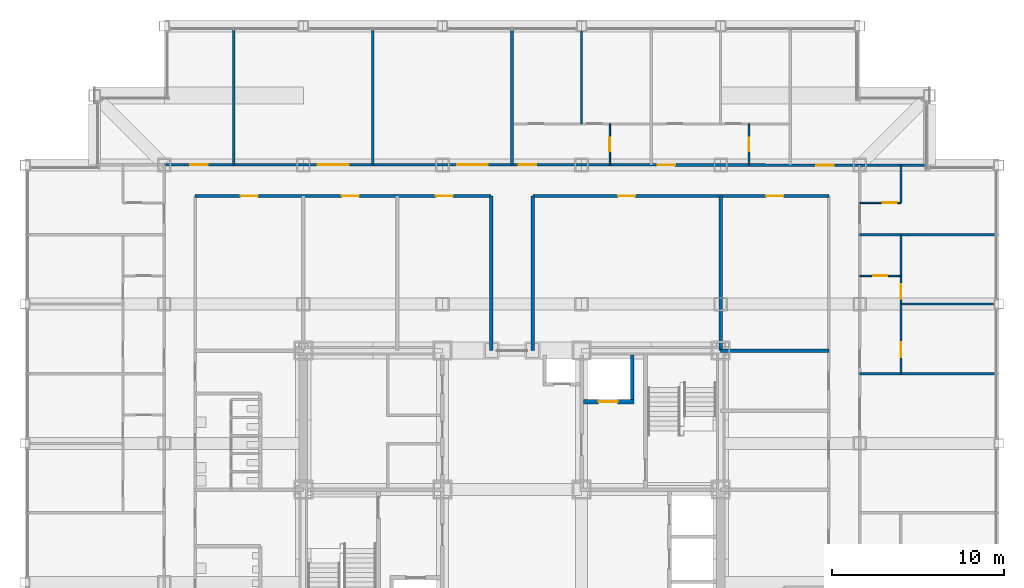
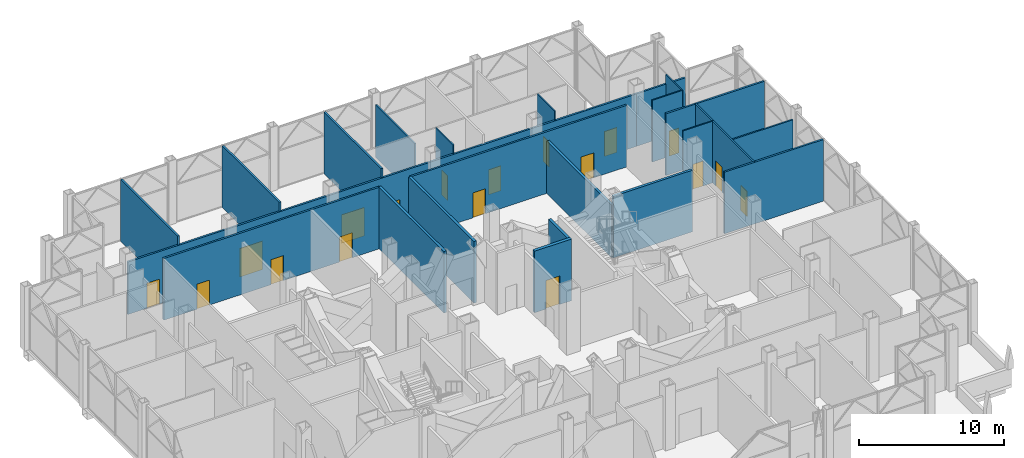
# One storey, part 25 of 29: 23 walls, 18 doors, 18 openings.
"""IFC4 building model written with IfcOpenShell, lengths in metres."""

from ifc_helpers import new_model, si_unit, direction, frame, frame_2d, origin, place, context, subcontext, project, spatial, rectangle, extrude, material, layer, layer_set, type_object, element, fill, save


model = new_model("IFC4")

# Units and contexts
model_context = context("Model", 3, precision=1e-05, world=origin(), true_north=direction((0.0, 1.0)))
body_context = subcontext(model_context, "Body", "Model", "MODEL_VIEW")
ifc_project = project(units=[si_unit("LENGTHUNIT", "METRE"), si_unit("AREAUNIT", "SQUARE_METRE"), si_unit("VOLUMEUNIT", "CUBIC_METRE"), si_unit("PLANEANGLEUNIT", "RADIAN"), si_unit("MASSUNIT", "GRAM", prefix="KILO")], contexts=[model_context])

# Site, building, storey
site_placement = place(None, origin())
site = spatial("IfcSite", under=ifc_project, at=site_placement, CompositionType="ELEMENT")
building_placement = place(site_placement, origin())
building = spatial("IfcBuilding", under=site, at=building_placement, Name="Kopane Lantern Tower", CompositionType="ELEMENT")
storey_placement = place(building_placement, frame((0.0, 0.0, 165.0)))
storey = spatial("IfcBuildingStorey", under=building, at=storey_placement, Name="L42", CompositionType="ELEMENT", Elevation=165.0)

# Wall
ifc_material_1 = material(Name="Gypsum board on steel studs", Category="steel")
ifc_layer_1 = layer(ifc_material_1, 0.1201171875)
ifc_layer_set_1 = layer_set([ifc_layer_1], Name="APARTMENT INTERNAL WALL 120")
wall_type_1 = type_object("IfcWallType", Name="APARTMENT INTERNAL WALL 120", PredefinedType="PARTITIONING", material=ifc_layer_set_1)
wall_1_placement = place(storey_placement, frame((32.39990234375, 53.699951171875, 0.0), z_axis=(0.0, 0.0, 1.0), x_axis=(0.0, 1.0, 0.0)))
element("IfcWall", 1, at=wall_1_placement, inside=storey, type_object=wall_type_1, Name="Apartment Internal Wall 120 L42", PredefinedType="PARTITIONING", context=body_context, shape_type="SweptSolid", body=[
    extrude(rectangle(XDim=5.400146484375, YDim=0.1201171875, at=frame_2d((2.7001953125, 0.0))), origin(), (0.0, 0.0, 1.0), 4.420166015625),
])

# Wall, openings, doors
wall_2_placement = place(storey_placement, frame((51.0, 39.14990234375, 0.0), z_axis=(0.0, 0.0, 1.0), x_axis=(0.0, 1.0, 0.0)))
wall_2 = element("IfcWall", 2, at=wall_2_placement, inside=storey, type_object=wall_type_1, Name="Apartment Internal Wall 120 L42", PredefinedType="PARTITIONING", context=body_context, shape_type="SweptSolid", body=[
    extrude(rectangle(XDim=8.10009765625, YDim=0.1201171875, at=frame_2d((4.050048828125, 0.0))), origin(), (0.0, 0.0, 1.0), 5.18994140625),
])
opening_1_placement = place(wall_2_placement, frame((0.97509765625, 0.0, 0.0)))
opening_1 = element("IfcOpeningElement", 3, at=opening_1_placement, cuts=wall_2, Name="Opening L42-057", PredefinedType="OPENING", context=body_context, shape_type="SweptSolid", body=[
    extrude(rectangle(XDim=0.85009765625, YDim=2.10009765625, at=frame_2d((0.425048828125, 1.050048828125))), frame((0.0, 0.070068359375, 0.0), z_axis=(0.0, -1.0, 0.0), x_axis=(1.0, 0.0, 0.0)), (0.0, 0.0, 1.0), 0.14013671875),
])
opening_2_placement = place(wall_2_placement, frame((4.375, 0.0, 0.0)))
opening_2 = element("IfcOpeningElement", 4, at=opening_2_placement, cuts=wall_2, Name="Opening L42-058", PredefinedType="OPENING", context=body_context, shape_type="SweptSolid", body=[
    extrude(rectangle(XDim=0.85009765625, YDim=2.10009765625, at=frame_2d((0.425048828125, 1.050048828125))), frame((0.0, 0.070068359375, 0.0), z_axis=(0.0, -1.0, 0.0), x_axis=(1.0, 0.0, 0.0)), (0.0, 0.0, 1.0), 0.14013671875),
])
ifc_material_2 = material(Name="Timber door set", Category="wood")
door_type_1 = type_object("IfcDoorType", Name="DOOR D4 850x2100", OperationType="SINGLE_SWING_LEFT", PredefinedType="DOOR", material=ifc_material_2)
door_1_placement = place(opening_1_placement, origin())
door_1 = element("IfcDoor", 5, at=door_1_placement, inside=storey, type_object=door_type_1, Name="Door L42-057", OperationType="SINGLE_SWING_LEFT", OverallHeight=2.10009765625, OverallWidth=0.85009765625, PredefinedType="DOOR", context=body_context, shape_type="SweptSolid", body=[
    extrude(rectangle(XDim=0.85009765625, YDim=2.10009765625, at=frame_2d((0.425048828125, 1.050048828125))), frame((0.0, 0.02490234375, 0.0), z_axis=(0.0, -1.0, 0.0), x_axis=(1.0, 0.0, 0.0)), (0.0, 0.0, 1.0), 0.050048828125),
])
fill(opening_1, door_1)
door_2_placement = place(opening_2_placement, origin())
door_2 = element("IfcDoor", 6, at=door_2_placement, inside=storey, type_object=door_type_1, Name="Door L42-058", OperationType="SINGLE_SWING_RIGHT", OverallHeight=2.10009765625, OverallWidth=0.85009765625, PredefinedType="DOOR", context=body_context, shape_type="SweptSolid", body=[
    extrude(rectangle(XDim=0.85009765625, YDim=2.10009765625, at=frame_2d((0.425048828125, 1.050048828125))), frame((0.0, 0.02490234375, 0.0), z_axis=(0.0, -1.0, 0.0), x_axis=(1.0, 0.0, 0.0)), (0.0, 0.0, 1.0), 0.050048828125),
])
fill(opening_2, door_2)

# Wall
wall_3_placement = place(storey_placement, frame((51.0, 43.199951171875, 0.0), z_axis=(0.0, 0.0, 1.0), x_axis=(1.0, 0.0, 0.0)))
element("IfcWall", 7, at=wall_3_placement, inside=storey, type_object=wall_type_1, Name="Apartment Internal Wall 120 L42", PredefinedType="PARTITIONING", context=body_context, shape_type="SweptSolid", body=[
    extrude(rectangle(XDim=5.39990234375, YDim=0.1201171875, at=frame_2d((2.699951171875, 0.0))), origin(), (0.0, 0.0, 1.0), 4.420166015625),
])

# Wall, opening, door
ifc_material_3 = material(Name="Moisture-resistant board on steel studs", Category="steel")
ifc_layer_2 = layer(ifc_material_3, 0.10009765625)
ifc_layer_set_2 = layer_set([ifc_layer_2], Name="BATHROOM WALL 100")
wall_type_2 = type_object("IfcWallType", Name="BATHROOM WALL 100", PredefinedType="PARTITIONING", material=ifc_layer_set_2)
wall_4_placement = place(storey_placement, frame((34.050048828125, 51.300048828125, 0.0), z_axis=(0.0, 0.0, 1.0), x_axis=(0.0, 1.0, 0.0)))
wall_4 = element("IfcWall", 8, at=wall_4_placement, inside=storey, type_object=wall_type_2, Name="Bathroom Wall 100 L42", PredefinedType="PARTITIONING", context=body_context, shape_type="SweptSolid", body=[
    extrude(rectangle(XDim=2.39990234375, YDim=0.10009765625, at=frame_2d((1.199951171875, 0.0))), origin(), (0.0, 0.0, 1.0), 5.18994140625),
])
opening_3_placement = place(wall_4_placement, frame((0.800048828125, 0.0, 0.0)))
opening_3 = element("IfcOpeningElement", 9, at=opening_3_placement, cuts=wall_4, Name="Opening L42-030", PredefinedType="OPENING", context=body_context, shape_type="SweptSolid", body=[
    extrude(rectangle(XDim=0.800048828125, YDim=2.10009765625, at=frame_2d((0.39990234375, 1.050048828125))), frame((0.0, 0.06005859375, 0.0), z_axis=(0.0, -1.0, 0.0), x_axis=(1.0, 0.0, 0.0)), (0.0, 0.0, 1.0), 0.1201171875),
])
ifc_material_4 = material(Name="Timber door set", Category="wood")
door_type_2 = type_object("IfcDoorType", Name="DOOR D2 800x2100", OperationType="SINGLE_SWING_LEFT", PredefinedType="DOOR", material=ifc_material_4)
door_3_placement = place(opening_3_placement, origin())
door_3 = element("IfcDoor", 10, at=door_3_placement, inside=storey, type_object=door_type_2, Name="Door L42-030", OperationType="SINGLE_SWING_RIGHT", OverallHeight=2.10009765625, OverallWidth=0.800048828125, PredefinedType="DOOR", context=body_context, shape_type="SweptSolid", body=[
    extrude(rectangle(XDim=0.800048828125, YDim=2.10009765625, at=frame_2d((0.39990234375, 1.050048828125))), frame((0.0, 0.02490234375, 0.0), z_axis=(0.0, -1.0, 0.0), x_axis=(1.0, 0.0, 0.0)), (0.0, 0.0, 1.0), 0.050048828125),
])
fill(opening_3, door_3)

wall_5_placement = place(storey_placement, frame((42.14990234375, 51.300048828125, 0.0), z_axis=(0.0, 0.0, 1.0), x_axis=(0.0, 1.0, 0.0)))
wall_5 = element("IfcWall", 11, at=wall_5_placement, inside=storey, type_object=wall_type_2, Name="Bathroom Wall 100 L42", PredefinedType="PARTITIONING", context=body_context, shape_type="SweptSolid", body=[
    extrude(rectangle(XDim=2.39990234375, YDim=0.10009765625, at=frame_2d((1.199951171875, 0.0))), origin(), (0.0, 0.0, 1.0), 5.18994140625),
])
opening_4_placement = place(wall_5_placement, frame((0.800048828125, 0.0, 0.0)))
opening_4 = element("IfcOpeningElement", 12, at=opening_4_placement, cuts=wall_5, Name="Opening L42-034", PredefinedType="OPENING", context=body_context, shape_type="SweptSolid", body=[
    extrude(rectangle(XDim=0.800048828125, YDim=2.10009765625, at=frame_2d((0.39990234375, 1.050048828125))), frame((0.0, 0.06005859375, 0.0), z_axis=(0.0, -1.0, 0.0), x_axis=(1.0, 0.0, 0.0)), (0.0, 0.0, 1.0), 0.1201171875),
])
door_4_placement = place(opening_4_placement, origin())
door_4 = element("IfcDoor", 13, at=door_4_placement, inside=storey, type_object=door_type_2, Name="Door L42-034", OperationType="SINGLE_SWING_RIGHT", OverallHeight=2.10009765625, OverallWidth=0.800048828125, PredefinedType="DOOR", context=body_context, shape_type="SweptSolid", body=[
    extrude(rectangle(XDim=0.800048828125, YDim=2.10009765625, at=frame_2d((0.39990234375, 1.050048828125))), frame((0.0, 0.02490234375, 0.0), z_axis=(0.0, -1.0, 0.0), x_axis=(1.0, 0.0, 0.0)), (0.0, 0.0, 1.0), 0.050048828125),
])
fill(opening_4, door_4)

wall_6_placement = place(storey_placement, frame((48.60009765625, 44.85009765625, 0.0), z_axis=(0.0, 0.0, 1.0), x_axis=(1.0, 0.0, 0.0)))
wall_6 = element("IfcWall", 14, at=wall_6_placement, inside=storey, type_object=wall_type_2, Name="Bathroom Wall 100 L42", PredefinedType="PARTITIONING", context=body_context, shape_type="SweptSolid", body=[
    extrude(rectangle(XDim=2.39990234375, YDim=0.10009765625, at=frame_2d((1.199951171875, 0.0))), origin(), (0.0, 0.0, 1.0), 5.18994140625),
])
opening_5_placement = place(wall_6_placement, frame((0.800048828125, 0.0, 0.0)))
opening_5 = element("IfcOpeningElement", 15, at=opening_5_placement, cuts=wall_6, Name="Opening L42-055", PredefinedType="OPENING", context=body_context, shape_type="SweptSolid", body=[
    extrude(rectangle(XDim=0.800048828125, YDim=2.10009765625, at=frame_2d((0.39990234375, 1.050048828125))), frame((0.0, 0.06005859375, 0.0), z_axis=(0.0, -1.0, 0.0), x_axis=(1.0, 0.0, 0.0)), (0.0, 0.0, 1.0), 0.1201171875),
])
door_5_placement = place(opening_5_placement, origin())
door_5 = element("IfcDoor", 16, at=door_5_placement, inside=storey, type_object=door_type_2, Name="Door L42-055", OperationType="SINGLE_SWING_LEFT", OverallHeight=2.10009765625, OverallWidth=0.800048828125, PredefinedType="DOOR", context=body_context, shape_type="SweptSolid", body=[
    extrude(rectangle(XDim=0.800048828125, YDim=2.10009765625, at=frame_2d((0.39990234375, 1.050048828125))), frame((0.0, 0.02490234375, 0.0), z_axis=(0.0, -1.0, 0.0), x_axis=(1.0, 0.0, 0.0)), (0.0, 0.0, 1.0), 0.050048828125),
])
fill(opening_5, door_5)

# Wall
wall_7_placement = place(storey_placement, frame((51.0, 49.10009765625, 0.0), z_axis=(0.0, 0.0, 1.0), x_axis=(0.0, 1.0, 0.0)))
element("IfcWall", 17, at=wall_7_placement, inside=storey, type_object=wall_type_2, Name="Bathroom Wall 100 L42", PredefinedType="PARTITIONING", context=body_context, shape_type="SweptSolid", body=[
    extrude(rectangle(XDim=2.199951171875, YDim=0.10009765625, at=frame_2d((1.10009765625, 0.0))), origin(), (0.0, 0.0, 1.0), 5.18994140625),
])

# Wall, opening, door
wall_8_placement = place(storey_placement, frame((48.60009765625, 49.10009765625, 0.0), z_axis=(0.0, 0.0, 1.0), x_axis=(1.0, 0.0, 0.0)))
wall_8 = element("IfcWall", 18, at=wall_8_placement, inside=storey, type_object=wall_type_2, Name="Bathroom Wall 100 L42", PredefinedType="PARTITIONING", context=body_context, shape_type="SweptSolid", body=[
    extrude(rectangle(XDim=2.39990234375, YDim=0.10009765625, at=frame_2d((1.199951171875, 0.0))), origin(), (0.0, 0.0, 1.0), 5.18994140625),
])
opening_6_placement = place(wall_8_placement, frame((1.35009765625, 0.0, 0.0)))
opening_6 = element("IfcOpeningElement", 19, at=opening_6_placement, cuts=wall_8, Name="Opening L42-059", PredefinedType="OPENING", context=body_context, shape_type="SweptSolid", body=[
    extrude(rectangle(XDim=0.800048828125, YDim=2.10009765625, at=frame_2d((0.39990234375, 1.050048828125))), frame((0.0, 0.06005859375, 0.0), z_axis=(0.0, -1.0, 0.0), x_axis=(1.0, 0.0, 0.0)), (0.0, 0.0, 1.0), 0.1201171875),
])
door_6_placement = place(opening_6_placement, origin())
door_6 = element("IfcDoor", 20, at=door_6_placement, inside=storey, type_object=door_type_2, Name="Door L42-059", OperationType="SINGLE_SWING_RIGHT", OverallHeight=2.10009765625, OverallWidth=0.800048828125, PredefinedType="DOOR", context=body_context, shape_type="SweptSolid", body=[
    extrude(rectangle(XDim=0.800048828125, YDim=2.10009765625, at=frame_2d((0.39990234375, 1.050048828125))), frame((0.0, 0.02490234375, 0.0), z_axis=(0.0, -1.0, 0.0), x_axis=(1.0, 0.0, 0.0)), (0.0, 0.0, 1.0), 0.050048828125),
])
fill(opening_6, door_6)

ifc_material_5 = material(Name="Gypsum shaft wall EI 120", Category="gypsum")
ifc_layer_3 = layer(ifc_material_5, 0.25)
ifc_layer_set_3 = layer_set([ifc_layer_3], Name="CORE SHAFT WALL 250 EI 120")
wall_type_3 = type_object("IfcWallType", Name="CORE SHAFT WALL 250 EI 120", PredefinedType="SOLIDWALL", material=ifc_layer_set_3)
wall_9_placement = place(storey_placement, frame((32.5, 37.52490234375, 0.0), z_axis=(0.0, 0.0, 1.0), x_axis=(1.0, 0.0, 0.0)))
wall_9 = element("IfcWall", 21, at=wall_9_placement, inside=storey, type_object=wall_type_3, Name="Core shaft wall L42 YLF2", PredefinedType="SOLIDWALL", context=body_context, shape_type="SweptSolid", body=[
    extrude(rectangle(XDim=2.949951171875, YDim=0.25, at=frame_2d((1.47509765625, 0.0))), origin(), (0.0, 0.0, 1.0), 5.18994140625),
])
opening_7_placement = place(wall_9_placement, frame((0.89990234375, 0.0, 0.0)))
opening_7 = element("IfcOpeningElement", 22, at=opening_7_placement, cuts=wall_9, Name="Opening 42.LD-LF2", PredefinedType="OPENING", context=body_context, shape_type="SweptSolid", body=[
    extrude(rectangle(XDim=1.10009765625, YDim=2.39990234375, at=frame_2d((0.550048828125, 1.199951171875))), frame((0.0, 0.135009765625, 0.0), z_axis=(0.0, -1.0, 0.0), x_axis=(1.0, 0.0, 0.0)), (0.0, 0.0, 1.0), 0.27001953125),
])
ifc_material_6 = material(Name="Steel door set", Category="steel")
door_type_3 = type_object("IfcDoorType", Name="LIFT LANDING DOOR 1100x2400 FD60", OperationType="DOUBLE_DOOR_SLIDING", PredefinedType="DOOR", material=ifc_material_6)
door_7_placement = place(opening_7_placement, origin())
door_7 = element("IfcDoor", 23, at=door_7_placement, inside=storey, type_object=door_type_3, Name="Landing door LF2 L42", OperationType="DOUBLE_DOOR_SLIDING", OverallHeight=2.39990234375, OverallWidth=1.10009765625, PredefinedType="DOOR", context=body_context, shape_type="SweptSolid", body=[
    extrude(rectangle(XDim=1.10009765625, YDim=2.39990234375, at=frame_2d((0.550048828125, 1.199951171875))), frame((0.0, 0.02490234375, 0.0), z_axis=(0.0, -1.0, 0.0), x_axis=(1.0, 0.0, 0.0)), (0.0, 0.0, 1.0), 0.050048828125),
])
fill(opening_7, door_7)

# Wall, openings, doors
ifc_material_7 = material(Name="Gypsum board on steel studs", Category="steel")
ifc_layer_4 = layer(ifc_material_7, 0.14990234375)
ifc_layer_set_4 = layer_set([ifc_layer_4], Name="CORRIDOR WALL 150 EI 60")
wall_type_4 = type_object("IfcWallType", Name="CORRIDOR WALL 150 EI 60", PredefinedType="PARTITIONING", material=ifc_layer_set_4)
wall_10_placement = place(storey_placement, frame((8.10009765625, 51.330078125, 0.0), z_axis=(0.0, 0.0, 1.0), x_axis=(0.999999725116, -0.000741463917, 0.0)))
wall_10 = element("IfcWall", 24, at=wall_10_placement, inside=storey, type_object=wall_type_4, Name="Corridor Wall 150 Ei 60 L42", PredefinedType="PARTITIONING", context=body_context, shape_type="SweptSolid", body=[
    extrude(rectangle(XDim=40.5, YDim=0.14990234375, at=frame_2d((20.25, 0.0))), origin(), (0.0, 0.0, 1.0), 4.420166015625),
])
opening_8_placement = place(wall_10_placement, frame((8.949951171875, 0.0, 0.0)))
opening_8 = element("IfcOpeningElement", 25, at=opening_8_placement, cuts=wall_10, Name="Opening L42-028", PredefinedType="OPENING", context=body_context, shape_type="SweptSolid", body=[
    extrude(rectangle(XDim=1.800048828125, YDim=2.39990234375, at=frame_2d((0.89990234375, 1.199951171875))), frame((0.0, 0.0849609375, 0.0), z_axis=(0.0, -1.0, 0.0), x_axis=(1.0, 0.0, 0.0)), (0.0, 0.0, 1.0), 0.169921875),
])
opening_9_placement = place(wall_10_placement, frame((17.050048828125, 0.0, 0.0)))
opening_9 = element("IfcOpeningElement", 26, at=opening_9_placement, cuts=wall_10, Name="Opening L42-029", PredefinedType="OPENING", context=body_context, shape_type="SweptSolid", body=[
    extrude(rectangle(XDim=1.800048828125, YDim=2.39990234375, at=frame_2d((0.89990234375, 1.199951171875))), frame((0.0, 0.0849609375, 0.0), z_axis=(0.0, -1.0, 0.0), x_axis=(1.0, 0.0, 0.0)), (0.0, 0.0, 1.0), 0.169921875),
])
opening_10_placement = place(wall_10_placement, frame((20.64990234375, 0.0, 0.0)))
opening_10 = element("IfcOpeningElement", 27, at=opening_10_placement, cuts=wall_10, Name="Opening L42-031", PredefinedType="OPENING", context=body_context, shape_type="SweptSolid", body=[
    extrude(rectangle(XDim=1.0, YDim=2.10009765625, at=frame_2d((0.5, 1.050048828125))), frame((0.0, 0.0849609375, 0.0), z_axis=(0.0, -1.0, 0.0), x_axis=(1.0, 0.0, 0.0)), (0.0, 0.0, 1.0), 0.169921875),
])
opening_11_placement = place(wall_10_placement, frame((28.75, 0.0, 0.0)))
opening_11 = element("IfcOpeningElement", 28, at=opening_11_placement, cuts=wall_10, Name="Opening L42-035", PredefinedType="OPENING", context=body_context, shape_type="SweptSolid", body=[
    extrude(rectangle(XDim=1.0, YDim=2.10009765625, at=frame_2d((0.5, 1.050048828125))), frame((0.0, 0.0849609375, 0.0), z_axis=(0.0, -1.0, 0.0), x_axis=(1.0, 0.0, 0.0)), (0.0, 0.0, 1.0), 0.169921875),
])
opening_12_placement = place(wall_10_placement, frame((37.97509765625, 0.0, 0.0)))
opening_12 = element("IfcOpeningElement", 29, at=opening_12_placement, cuts=wall_10, Name="Opening L42-063", PredefinedType="OPENING", context=body_context, shape_type="SweptSolid", body=[
    extrude(rectangle(XDim=1.0, YDim=2.10009765625, at=frame_2d((0.5, 1.050048828125))), frame((0.0, 0.0849609375, 0.0), z_axis=(0.0, -1.0, 0.0), x_axis=(1.0, 0.0, 0.0)), (0.0, 0.0, 1.0), 0.169921875),
])
opening_13_placement = place(wall_10_placement, frame((1.52490234375, 0.0, 0.0)))
opening_13 = element("IfcOpeningElement", 30, at=opening_13_placement, cuts=wall_10, Name="Opening L42-064", PredefinedType="OPENING", context=body_context, shape_type="SweptSolid", body=[
    extrude(rectangle(XDim=1.0, YDim=2.10009765625, at=frame_2d((0.5, 1.050048828125))), frame((0.0, 0.0849609375, 0.0), z_axis=(0.0, -1.0, 0.0), x_axis=(1.0, 0.0, 0.0)), (0.0, 0.0, 1.0), 0.169921875),
])
ifc_material_8 = material(Name="Steel door set", Category="steel")
door_type_4 = type_object("IfcDoorType", Name="DOOR D3 1000x2100 FD30S", OperationType="SINGLE_SWING_LEFT", PredefinedType="DOOR", material=ifc_material_8)
door_8_placement = place(opening_10_placement, origin())
door_8 = element("IfcDoor", 31, at=door_8_placement, inside=storey, type_object=door_type_4, Name="Door L42-031", OperationType="SINGLE_SWING_LEFT", OverallHeight=2.10009765625, OverallWidth=1.0, PredefinedType="DOOR", context=body_context, shape_type="SweptSolid", body=[
    extrude(rectangle(XDim=1.0, YDim=2.10009765625, at=frame_2d((0.5, 1.050048828125))), frame((0.0, 0.02490234375, 0.0), z_axis=(0.0, -1.0, 0.0), x_axis=(1.0, 0.0, 0.0)), (0.0, 0.0, 1.0), 0.050048828125),
])
fill(opening_10, door_8)
door_9_placement = place(opening_11_placement, origin())
door_9 = element("IfcDoor", 32, at=door_9_placement, inside=storey, type_object=door_type_4, Name="Door L42-035", OperationType="SINGLE_SWING_LEFT", OverallHeight=2.10009765625, OverallWidth=1.0, PredefinedType="DOOR", context=body_context, shape_type="SweptSolid", body=[
    extrude(rectangle(XDim=1.0, YDim=2.10009765625, at=frame_2d((0.5, 1.050048828125))), frame((0.0, 0.02490234375, 0.0), z_axis=(0.0, -1.0, 0.0), x_axis=(1.0, 0.0, 0.0)), (0.0, 0.0, 1.0), 0.050048828125),
])
fill(opening_11, door_9)
ifc_material_9 = material(Name="Steel door set", Category="steel")
door_type_5 = type_object("IfcDoorType", Name="DOOR D5 1000x2100 FD60", OperationType="SINGLE_SWING_LEFT", PredefinedType="DOOR", material=ifc_material_9)
door_10_placement = place(opening_12_placement, origin())
door_10 = element("IfcDoor", 33, at=door_10_placement, inside=storey, type_object=door_type_5, Name="Door L42-063", OperationType="SINGLE_SWING_LEFT", OverallHeight=2.10009765625, OverallWidth=1.0, PredefinedType="DOOR", context=body_context, shape_type="SweptSolid", body=[
    extrude(rectangle(XDim=1.0, YDim=2.10009765625, at=frame_2d((0.5, 1.050048828125))), frame((0.0, 0.02490234375, 0.0), z_axis=(0.0, -1.0, 0.0), x_axis=(1.0, 0.0, 0.0)), (0.0, 0.0, 1.0), 0.050048828125),
])
fill(opening_12, door_10)
door_11_placement = place(opening_13_placement, origin())
door_11 = element("IfcDoor", 34, at=door_11_placement, inside=storey, type_object=door_type_5, Name="Door L42-064", OperationType="SINGLE_SWING_RIGHT", OverallHeight=2.10009765625, OverallWidth=1.0, PredefinedType="DOOR", context=body_context, shape_type="SweptSolid", body=[
    extrude(rectangle(XDim=1.0, YDim=2.10009765625, at=frame_2d((0.5, 1.050048828125))), frame((0.0, 0.02490234375, 0.0), z_axis=(0.0, -1.0, 0.0), x_axis=(1.0, 0.0, 0.0)), (0.0, 0.0, 1.0), 0.050048828125),
])
fill(opening_13, door_11)
ifc_material_10 = material(Name="Steel door set", Category="steel")
door_type_6 = type_object("IfcDoorType", Name="DOOR D6 1800x2400 FD30S", OperationType="SINGLE_SWING_LEFT", PredefinedType="DOOR", material=ifc_material_10)
door_12_placement = place(opening_8_placement, origin())
door_12 = element("IfcDoor", 35, at=door_12_placement, inside=storey, type_object=door_type_6, Name="Door L42-028", OperationType="DOUBLE_DOOR_SINGLE_SWING", OverallHeight=2.39990234375, OverallWidth=1.800048828125, PredefinedType="DOOR", context=body_context, shape_type="SweptSolid", body=[
    extrude(rectangle(XDim=1.800048828125, YDim=2.39990234375, at=frame_2d((0.89990234375, 1.199951171875))), frame((0.0, 0.02490234375, 0.0), z_axis=(0.0, -1.0, 0.0), x_axis=(1.0, 0.0, 0.0)), (0.0, 0.0, 1.0), 0.050048828125),
])
fill(opening_8, door_12)
door_13_placement = place(opening_9_placement, origin())
door_13 = element("IfcDoor", 36, at=door_13_placement, inside=storey, type_object=door_type_6, Name="Door L42-029", OperationType="DOUBLE_DOOR_SINGLE_SWING", OverallHeight=2.39990234375, OverallWidth=1.800048828125, PredefinedType="DOOR", context=body_context, shape_type="SweptSolid", body=[
    extrude(rectangle(XDim=1.800048828125, YDim=2.39990234375, at=frame_2d((0.89990234375, 1.199951171875))), frame((0.0, 0.02490234375, 0.0), z_axis=(0.0, -1.0, 0.0), x_axis=(1.0, 0.0, 0.0)), (0.0, 0.0, 1.0), 0.050048828125),
])
fill(opening_9, door_13)

wall_11_placement = place(storey_placement, frame((46.800048828125, 49.5, 0.0), z_axis=(0.0, 0.0, 1.0), x_axis=(-1.0, 0.0, 0.0)))
wall_11 = element("IfcWall", 37, at=wall_11_placement, inside=storey, type_object=wall_type_4, Name="Corridor Wall 150 Ei 60 L42", PredefinedType="PARTITIONING", context=body_context, shape_type="SweptSolid", body=[
    extrude(rectangle(XDim=17.239990234375, YDim=0.14990234375, at=frame_2d((8.6201171875, 0.0))), origin(), (0.0, 0.0, 1.0), 5.18994140625),
])
opening_14_placement = place(wall_11_placement, frame((11.27490234375, 0.0, 0.0)))
opening_14 = element("IfcOpeningElement", 38, at=opening_14_placement, cuts=wall_11, Name="Opening L42-016", PredefinedType="OPENING", context=body_context, shape_type="SweptSolid", body=[
    extrude(rectangle(XDim=1.0, YDim=2.10009765625, at=frame_2d((0.5, 1.050048828125))), frame((0.0, 0.0849609375, 0.0), z_axis=(0.0, -1.0, 0.0), x_axis=(1.0, 0.0, 0.0)), (0.0, 0.0, 1.0), 0.169921875),
])
opening_15_placement = place(wall_11_placement, frame((2.64990234375, 0.0, 0.0)))
opening_15 = element("IfcOpeningElement", 39, at=opening_15_placement, cuts=wall_11, Name="Opening L42-017", PredefinedType="OPENING", context=body_context, shape_type="SweptSolid", body=[
    extrude(rectangle(XDim=1.0, YDim=2.10009765625, at=frame_2d((0.5, 1.050048828125))), frame((0.0, 0.0849609375, 0.0), z_axis=(0.0, -1.0, 0.0), x_axis=(1.0, 0.0, 0.0)), (0.0, 0.0, 1.0), 0.169921875),
])
door_14_placement = place(opening_14_placement, origin())
door_14 = element("IfcDoor", 40, at=door_14_placement, inside=storey, type_object=door_type_5, Name="Door L42-016", OperationType="SINGLE_SWING_RIGHT", OverallHeight=2.10009765625, OverallWidth=1.0, PredefinedType="DOOR", context=body_context, shape_type="SweptSolid", body=[
    extrude(rectangle(XDim=1.0, YDim=2.10009765625, at=frame_2d((0.5, 1.050048828125))), frame((0.0, 0.02490234375, 0.0), z_axis=(0.0, -1.0, 0.0), x_axis=(1.0, 0.0, 0.0)), (0.0, 0.0, 1.0), 0.050048828125),
])
fill(opening_14, door_14)
door_15_placement = place(opening_15_placement, origin())
door_15 = element("IfcDoor", 41, at=door_15_placement, inside=storey, type_object=door_type_5, Name="Door L42-017", OperationType="SINGLE_SWING_LEFT", OverallHeight=2.10009765625, OverallWidth=1.0, PredefinedType="DOOR", context=body_context, shape_type="SweptSolid", body=[
    extrude(rectangle(XDim=1.0, YDim=2.10009765625, at=frame_2d((0.5, 1.050048828125))), frame((0.0, 0.02490234375, 0.0), z_axis=(0.0, -1.0, 0.0), x_axis=(1.0, 0.0, 0.0)), (0.0, 0.0, 1.0), 0.050048828125),
])
fill(opening_15, door_15)

wall_12_placement = place(storey_placement, frame((27.139892578125, 49.5, 0.0), z_axis=(0.0, 0.0, 1.0), x_axis=(-1.0, 0.0, 0.0)))
wall_12 = element("IfcWall", 42, at=wall_12_placement, inside=storey, type_object=wall_type_4, Name="Corridor Wall 150 Ei 60 L42", PredefinedType="PARTITIONING", context=body_context, shape_type="SweptSolid", body=[
    extrude(rectangle(XDim=17.239990234375, YDim=0.14990234375, at=frame_2d((8.6201171875, 0.0))), origin(), (0.0, 0.0, 1.0), 5.18994140625),
])
opening_16_placement = place(wall_12_placement, frame((13.590087890625, 0.0, 0.0)))
opening_16 = element("IfcOpeningElement", 43, at=opening_16_placement, cuts=wall_12, Name="Opening L42-013", PredefinedType="OPENING", context=body_context, shape_type="SweptSolid", body=[
    extrude(rectangle(XDim=1.0, YDim=2.10009765625, at=frame_2d((0.5, 1.050048828125))), frame((0.0, 0.0849609375, 0.0), z_axis=(0.0, -1.0, 0.0), x_axis=(1.0, 0.0, 0.0)), (0.0, 0.0, 1.0), 0.169921875),
])
opening_17_placement = place(wall_12_placement, frame((7.702392578125, 0.0, 0.0)))
opening_17 = element("IfcOpeningElement", 44, at=opening_17_placement, cuts=wall_12, Name="Opening L42-014", PredefinedType="OPENING", context=body_context, shape_type="SweptSolid", body=[
    extrude(rectangle(XDim=1.0, YDim=2.10009765625, at=frame_2d((0.5, 1.050048828125))), frame((0.0, 0.0849609375, 0.0), z_axis=(0.0, -1.0, 0.0), x_axis=(1.0, 0.0, 0.0)), (0.0, 0.0, 1.0), 0.169921875),
])
opening_18_placement = place(wall_12_placement, frame((2.2275390625, 0.0, 0.0)))
opening_18 = element("IfcOpeningElement", 45, at=opening_18_placement, cuts=wall_12, Name="Opening L42-015", PredefinedType="OPENING", context=body_context, shape_type="SweptSolid", body=[
    extrude(rectangle(XDim=1.0, YDim=2.10009765625, at=frame_2d((0.5, 1.050048828125))), frame((0.0, 0.0849609375, 0.0), z_axis=(0.0, -1.0, 0.0), x_axis=(1.0, 0.0, 0.0)), (0.0, 0.0, 1.0), 0.169921875),
])
door_16_placement = place(opening_16_placement, origin())
door_16 = element("IfcDoor", 46, at=door_16_placement, inside=storey, type_object=door_type_5, Name="Door L42-013", OperationType="SINGLE_SWING_LEFT", OverallHeight=2.10009765625, OverallWidth=1.0, PredefinedType="DOOR", context=body_context, shape_type="SweptSolid", body=[
    extrude(rectangle(XDim=1.0, YDim=2.10009765625, at=frame_2d((0.5, 1.050048828125))), frame((0.0, 0.02490234375, 0.0), z_axis=(0.0, -1.0, 0.0), x_axis=(1.0, 0.0, 0.0)), (0.0, 0.0, 1.0), 0.050048828125),
])
fill(opening_16, door_16)
door_17_placement = place(opening_17_placement, origin())
door_17 = element("IfcDoor", 47, at=door_17_placement, inside=storey, type_object=door_type_5, Name="Door L42-014", OperationType="SINGLE_SWING_RIGHT", OverallHeight=2.10009765625, OverallWidth=1.0, PredefinedType="DOOR", context=body_context, shape_type="SweptSolid", body=[
    extrude(rectangle(XDim=1.0, YDim=2.10009765625, at=frame_2d((0.5, 1.050048828125))), frame((0.0, 0.02490234375, 0.0), z_axis=(0.0, -1.0, 0.0), x_axis=(1.0, 0.0, 0.0)), (0.0, 0.0, 1.0), 0.050048828125),
])
fill(opening_17, door_17)
door_18_placement = place(opening_18_placement, origin())
door_18 = element("IfcDoor", 48, at=door_18_placement, inside=storey, type_object=door_type_5, Name="Door L42-015", OperationType="SINGLE_SWING_LEFT", OverallHeight=2.10009765625, OverallWidth=1.0, PredefinedType="DOOR", context=body_context, shape_type="SweptSolid", body=[
    extrude(rectangle(XDim=1.0, YDim=2.10009765625, at=frame_2d((0.5, 1.050048828125))), frame((0.0, 0.02490234375, 0.0), z_axis=(0.0, -1.0, 0.0), x_axis=(1.0, 0.0, 0.0)), (0.0, 0.0, 1.0), 0.050048828125),
])
fill(opening_18, door_18)

# Walls
ifc_material_11 = material(Name="Gypsum board on steel studs", Category="steel")
ifc_layer_5 = layer(ifc_material_11, 0.14990234375)
ifc_layer_set_5 = layer_set([ifc_layer_5], Name="DEMISING WALL 150 EI 60")
wall_type_5 = type_object("IfcWallType", Name="DEMISING WALL 150 EI 60", PredefinedType="PARTITIONING", material=ifc_layer_set_5)
for number, where, z_axis, x_axis, name in (
    (49, (20.25, 51.300048828125, 0.0), (0.0, 0.0, 1.0), (0.0, 1.0, 0.0), "Demising Wall 150 Ei 60 L42"),
    (50, (28.35009765625, 51.300048828125, 0.0), (0.0, 0.0, 1.0), (0.0, 1.0, 0.0), "Demising Wall 150 Ei 60 L42"),
    (51, (48.60009765625, 39.14990234375, 0.0), (0.0, 0.0, 1.0), (1.0, 0.0, 0.0), "Demising Wall 150 Ei 60 L42"),
    (52, (48.60009765625, 47.25, 0.0), (0.0, 0.0, 1.0), (1.0, 0.0, 0.0), "Demising Wall 150 Ei 60 L42"),
):
    element("IfcWall", number, at=place(storey_placement, frame(where, z_axis=z_axis, x_axis=x_axis)), inside=storey, type_object=wall_type_5, Name=name, PredefinedType="PARTITIONING", context=body_context, shape_type="SweptSolid", body=[
        extrude(rectangle(XDim=7.864501953125, YDim=0.14990234375, at=frame_2d((3.93212890625, 0.0))), origin(), (0.0, 0.0, 1.0), 5.18994140625),
    ])
wall_13_placement = place(storey_placement, frame((48.60009765625, 51.300048828125, 0.0), z_axis=(0.0, 0.0, 1.0), x_axis=(1.0, 0.0, 0.0)))
element("IfcWall", 53, at=wall_13_placement, inside=storey, type_object=wall_type_5, Name="Demising Wall 150 Ei 60 L42", PredefinedType="PARTITIONING", context=body_context, shape_type="SweptSolid", body=[
    extrude(rectangle(XDim=3.8828125, YDim=0.14990234375, at=frame_2d((1.94140625, 0.0))), origin(), (0.0, 0.0, 1.0), 4.420166015625),
])
wall_14_placement = place(storey_placement, frame((12.14990234375, 51.300048828125, 0.0), z_axis=(0.0, 0.0, 1.0), x_axis=(0.0, 1.0, 0.0)))
element("IfcWall", 54, at=wall_14_placement, inside=storey, type_object=wall_type_5, Name="Demising Wall 150 Ei 60 L42", PredefinedType="PARTITIONING", context=body_context, shape_type="SweptSolid", body=[
    extrude(rectangle(XDim=7.864501953125, YDim=0.14990234375, at=frame_2d((3.93212890625, 0.0))), origin(), (0.0, 0.0, 1.0), 5.18994140625),
])
ifc_material_12 = material(Name="Concrete masonry", Category="masonry")
ifc_layer_6 = layer(ifc_material_12, 0.199951171875)
ifc_layer_set_6 = layer_set([ifc_layer_6], Name="PLANT ROOM WALL 200 EI 120")
wall_type_6 = type_object("IfcWallType", Name="PLANT ROOM WALL 200 EI 120", PredefinedType="SOLIDWALL", material=ifc_layer_set_6)
wall_15_placement = place(storey_placement, frame((40.5, 40.5, 0.0), z_axis=(0.0, 0.0, 1.0), x_axis=(0.0, 1.0, 0.0)))
element("IfcWall", 55, at=wall_15_placement, inside=storey, type_object=wall_type_6, Name="Plant Room Wall 200 Ei 120 L42", PredefinedType="SOLIDWALL", context=body_context, shape_type="SweptSolid", body=[
    extrude(rectangle(XDim=9.0, YDim=0.199951171875, at=frame_2d((4.5, 0.0))), origin(), (0.0, 0.0, 1.0), 4.420166015625),
])
for number, where, z_axis, x_axis, name in (
    (56, (27.14990234375, 40.5, 0.0), (0.0, 0.0, 1.0), (0.0, 1.0, 0.0), "Plant Room Wall 200 Ei 120 L42"),
    (57, (29.550048828125, 40.5, 0.0), (0.0, 0.0, 1.0), (0.0, 1.0, 0.0), "Plant Room Wall 200 Ei 120 L42"),
):
    element("IfcWall", number, at=place(storey_placement, frame(where, z_axis=z_axis, x_axis=x_axis)), inside=storey, type_object=wall_type_6, Name=name, PredefinedType="SOLIDWALL", context=body_context, shape_type="SweptSolid", body=[
        extrude(rectangle(XDim=9.0, YDim=0.199951171875, at=frame_2d((4.5, 0.0))), origin(), (0.0, 0.0, 1.0), 5.18994140625),
    ])
wall_16_placement = place(storey_placement, frame((40.5, 40.5, 0.0), z_axis=(0.0, 0.0, 1.0), x_axis=(1.0, 0.0, 0.0)))
element("IfcWall", 58, at=wall_16_placement, inside=storey, type_object=wall_type_6, Name="Plant Room Wall 200 Ei 120 L42", PredefinedType="SOLIDWALL", context=body_context, shape_type="SweptSolid", body=[
    extrude(rectangle(XDim=6.300048828125, YDim=0.199951171875, at=frame_2d((3.14990234375, 0.0))), origin(), (0.0, 0.0, 1.0), 5.18994140625),
])
ifc_material_13 = material(Name="Gypsum shaft wall EI 120", Category="gypsum")
ifc_layer_7 = layer(ifc_material_13, 0.199951171875)
ifc_layer_set_7 = layer_set([ifc_layer_7], Name="SHAFT WALL 200 EI 120")
wall_type_7 = type_object("IfcWallType", Name="SHAFT WALL 200 EI 120", PredefinedType="SOLIDWALL", material=ifc_layer_set_7)
wall_17_placement = place(storey_placement, frame((35.35009765625, 37.64990234375, 0.0), z_axis=(0.0, 0.0, 1.0), x_axis=(0.0, 1.0, 0.0)))
element("IfcWall", 59, at=wall_17_placement, inside=storey, type_object=wall_type_7, Name="Core shaft wall L42 XLF2", PredefinedType="SOLIDWALL", context=body_context, shape_type="SweptSolid", body=[
    extrude(rectangle(XDim=2.60009765625, YDim=0.199951171875, at=frame_2d((1.300048828125, 0.0))), origin(), (0.0, 0.0, 1.0), 5.18994140625),
])

save(model, "model.ifc")
